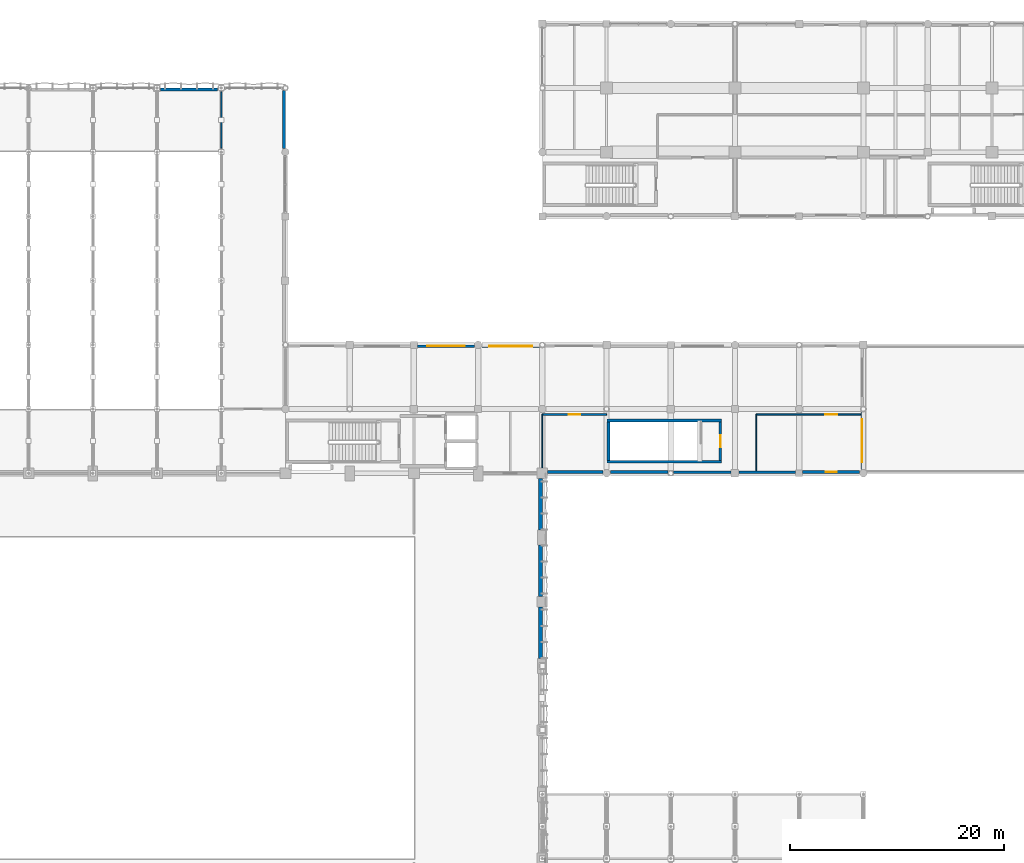
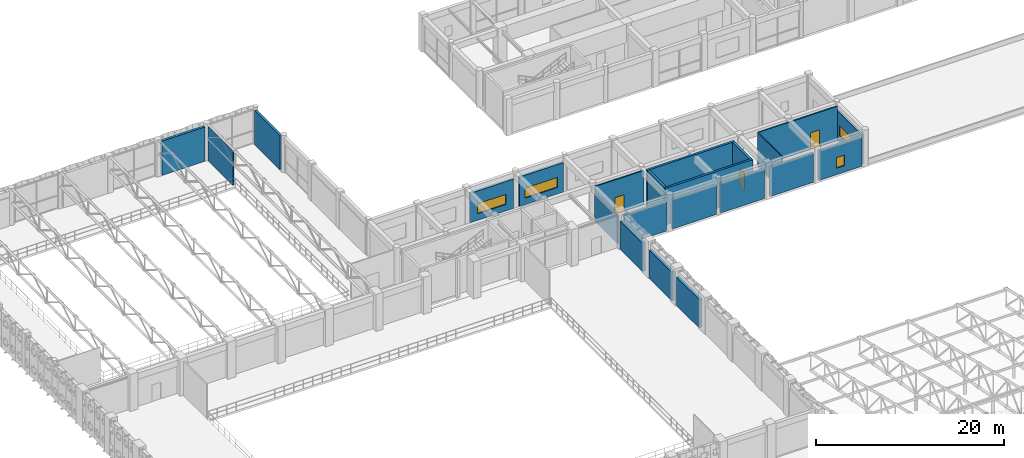
# One storey, part 99 of 123: 22 walls, 4 windows, 3 doors, 7 openings.
"""IFC4 building model written with IfcOpenShell, lengths in metres."""

from ifc_helpers import new_model, si_unit, direction, frame, frame_2d, origin, place, context, subcontext, project, spatial, rectangle, extrude, material, layer, layer_set, type_object, element, fill, save


model = new_model("IFC4")

# Units and contexts
model_context = context("Model", 3, precision=1e-05, world=origin(), true_north=direction((0.0, 1.0)))
body_context = subcontext(model_context, "Body", "Model", "MODEL_VIEW")
ifc_project = project(units=[si_unit("LENGTHUNIT", "METRE"), si_unit("AREAUNIT", "SQUARE_METRE"), si_unit("VOLUMEUNIT", "CUBIC_METRE"), si_unit("PLANEANGLEUNIT", "RADIAN"), si_unit("MASSUNIT", "GRAM", prefix="KILO"), si_unit("THERMODYNAMICTEMPERATUREUNIT", "KELVIN"), si_unit("POWERUNIT", "WATT")], contexts=[model_context])

# Site, building, storey
site_placement = place(None, origin())
site = spatial("IfcSite", under=ifc_project, at=site_placement, CompositionType="ELEMENT")
building_placement = place(site_placement, origin())
building = spatial("IfcBuilding", under=site, at=building_placement, Name="Phaisarnlok Congress Hotel", CompositionType="ELEMENT")
storey_placement = place(building_placement, frame((0.0, 0.0, 15.0)))
storey = spatial("IfcBuildingStorey", under=building, at=storey_placement, Name="L03", CompositionType="ELEMENT", Elevation=15.0)

# Walls
ifc_material_1 = material(Name="Concrete C40/50", Category="concrete")
ifc_layer_1 = layer(ifc_material_1, 0.2099609375, Name="Concrete C40/50")
ifc_layer_set_1 = layer_set([ifc_layer_1], Name="Concrete C40/50")
wall_type_1 = type_object("IfcWallType", Name="WL-EXT-210", PredefinedType="SOLIDWALL", material=ifc_layer_set_1)
wall_1_placement = place(storey_placement, frame((84.35498046875, 84.10498046875, 0.0), z_axis=(0.0, 0.0, 1.0), x_axis=(1.0, 0.0, 0.0)))
element("IfcWall", 1, at=wall_1_placement, inside=storey, type_object=wall_type_1, Name="Exterior wall EW-07 (L03)", PredefinedType="SOLIDWALL", context=body_context, shape_type="SweptSolid", body=[
    extrude(rectangle(XDim=5.31494140625, YDim=0.2099609375, at=frame_2d((2.657470703125, 0.0))), origin(), (0.0, 0.0, 1.0), 3.844970703125),
])
ifc_layer_2 = layer(ifc_material_1, 0.22998046875, Name="Concrete C40/50")
ifc_layer_set_2 = layer_set([ifc_layer_2], Name="Concrete C40/50")
wall_type_2 = type_object("IfcWallType", Name="WL-EXT-230", PredefinedType="SOLIDWALL", material=ifc_layer_set_2)
wall_2_placement = place(storey_placement, frame((78.259033203125, 84.114990234375, 0.0), z_axis=(0.0, 0.0, 1.0), x_axis=(1.0, 0.0, 0.0)))
element("IfcWall", 2, at=wall_2_placement, inside=storey, type_object=wall_type_2, Name="Exterior wall EW-06 (L03)", PredefinedType="SOLIDWALL", context=body_context, shape_type="SweptSolid", body=[
    extrude(rectangle(XDim=5.385986328125, YDim=0.22998046875, at=frame_2d((2.69287109375, 0.0))), origin(), (0.0, 0.0, 1.0), 3.844970703125),
])
ifc_layer_3 = layer(ifc_material_1, 0.25, Name="Concrete C40/50")
ifc_layer_set_3 = layer_set([ifc_layer_3], Name="Concrete C40/50")
wall_type_3 = type_object("IfcWallType", Name="WL-EXT-250", PredefinedType="SOLIDWALL", material=ifc_layer_set_3)
wall_3_placement = place(storey_placement, frame((72.35498046875, 84.125, 0.0), z_axis=(0.0, 0.0, 1.0), x_axis=(1.0, 0.0, 0.0)))
element("IfcWall", 3, at=wall_3_placement, inside=storey, type_object=wall_type_3, Name="Exterior wall EW-05 (L03)", PredefinedType="SOLIDWALL", context=body_context, shape_type="SweptSolid", body=[
    extrude(rectangle(XDim=5.385986328125, YDim=0.25, at=frame_2d((2.69287109375, 0.0))), origin(), (0.0, 0.0, 1.0), 3.844970703125),
])

# Wall, opening, window
wall_4_placement = place(storey_placement, frame((95.875, 84.35498046875, 0.0), z_axis=(0.0, 0.0, 1.0), x_axis=(0.0, 1.0, 0.0)))
wall_4 = element("IfcWall", 4, at=wall_4_placement, inside=storey, type_object=wall_type_3, Name="Exterior wall EW-05 (L03)", PredefinedType="SOLIDWALL", context=body_context, shape_type="SweptSolid", body=[
    extrude(rectangle(XDim=5.385986328125, YDim=0.25, at=frame_2d((2.69287109375, 0.0))), origin(), (0.0, 0.0, 1.0), 3.844970703125),
])
opening_1_placement = place(wall_4_placement, frame((0.693115234375, 0.0, 0.85009765625)))
opening_1 = element("IfcOpeningElement", 5, at=opening_1_placement, cuts=wall_4, Name="Opening W-19", PredefinedType="OPENING", context=body_context, shape_type="SweptSolid", body=[
    extrude(rectangle(XDim=4.0, YDim=1.300048828125, at=frame_2d((2.0, 0.64990234375))), frame((0.0, 0.135009765625, 0.0), z_axis=(0.0, -1.0, 0.0), x_axis=(1.0, 0.0, 0.0)), (0.0, 0.0, 1.0), 0.27001953125),
])
ifc_material_2 = material(Name="Thermally Broken Aluminium & Low-E Double Glazing", Category="aluminium")
window_type_1 = type_object("IfcWindowType", Name="WIN-CLER-4000", PartitioningType="SINGLE_PANEL", PredefinedType="WINDOW", material=ifc_material_2)
window_1_placement = place(opening_1_placement, origin())
window_1 = element("IfcWindow", 6, at=window_1_placement, inside=storey, type_object=window_type_1, Name="Podium window W-19 (L03)", OverallHeight=1.300048828125, OverallWidth=4.0, PartitioningType="SINGLE_PANEL", PredefinedType="WINDOW", context=body_context, shape_type="SweptSolid", body=[
    extrude(rectangle(XDim=4.0, YDim=1.300048828125, at=frame_2d((2.0, 0.64990234375))), frame((0.0, 0.030029296875, 0.0), z_axis=(0.0, -1.0, 0.0), x_axis=(1.0, 0.0, 0.0)), (0.0, 0.0, 1.0), 0.06005859375),
])
fill(opening_1, window_1)

wall_5_placement = place(storey_placement, frame((59.64501953125, 95.875, 0.0), z_axis=(0.0, 0.0, 1.0), x_axis=(-1.0, 0.0, 0.0)))
wall_5 = element("IfcWall", 7, at=wall_5_placement, inside=storey, type_object=wall_type_3, Name="Exterior wall EW-05 (L03)", PredefinedType="SOLIDWALL", context=body_context, shape_type="SweptSolid", body=[
    extrude(rectangle(XDim=5.31494140625, YDim=0.25, at=frame_2d((2.657470703125, 0.0))), origin(), (0.0, 0.0, 1.0), 3.81005859375),
])
opening_2_placement = place(wall_5_placement, frame((0.907958984375, 0.0, 0.85009765625)))
opening_2 = element("IfcOpeningElement", 8, at=opening_2_placement, cuts=wall_5, Name="Opening W-20", PredefinedType="OPENING", context=body_context, shape_type="SweptSolid", body=[
    extrude(rectangle(XDim=3.5, YDim=1.300048828125, at=frame_2d((1.75, 0.64990234375))), frame((0.0, 0.135009765625, 0.0), z_axis=(0.0, -1.0, 0.0), x_axis=(1.0, 0.0, 0.0)), (0.0, 0.0, 1.0), 0.27001953125),
])
window_type_2 = type_object("IfcWindowType", Name="WIN-CLER-3500", PartitioningType="SINGLE_PANEL", PredefinedType="WINDOW", material=ifc_material_2)
window_2_placement = place(opening_2_placement, origin())
window_2 = element("IfcWindow", 9, at=window_2_placement, inside=storey, type_object=window_type_2, Name="Podium window W-20 (L03)", OverallHeight=1.300048828125, OverallWidth=3.5, PartitioningType="SINGLE_PANEL", PredefinedType="WINDOW", context=body_context, shape_type="SweptSolid", body=[
    extrude(rectangle(XDim=3.5, YDim=1.300048828125, at=frame_2d((1.75, 0.64990234375))), frame((0.0, 0.030029296875, 0.0), z_axis=(0.0, -1.0, 0.0), x_axis=(1.0, 0.0, 0.0)), (0.0, 0.0, 1.0), 0.06005859375),
])
fill(opening_2, window_2)

# Wall
ifc_layer_4 = layer(ifc_material_1, 0.27001953125, Name="Concrete C40/50")
ifc_layer_set_4 = layer_set([ifc_layer_4], Name="Concrete C40/50")
wall_type_4 = type_object("IfcWallType", Name="WL-EXT-270", PredefinedType="SOLIDWALL", material=ifc_layer_set_4)
wall_6_placement = place(storey_placement, frame((66.5048828125, 84.135009765625, 0.0), z_axis=(0.0, 0.0, 1.0), x_axis=(1.0, 0.0, 0.0)))
element("IfcWall", 10, at=wall_6_placement, inside=storey, type_object=wall_type_4, Name="Exterior wall EW-04 (L03)", PredefinedType="SOLIDWALL", context=body_context, shape_type="SweptSolid", body=[
    extrude(rectangle(XDim=5.14013671875, YDim=0.27001953125, at=frame_2d((2.570068359375, 0.0))), origin(), (0.0, 0.0, 1.0), 3.844970703125),
])

# Wall, opening, window
wall_7_placement = place(storey_placement, frame((90.330078125, 84.135009765625, 0.0), z_axis=(0.0, 0.0, 1.0), x_axis=(1.0, 0.0, 0.0)))
wall_7 = element("IfcWall", 11, at=wall_7_placement, inside=storey, type_object=wall_type_4, Name="Exterior wall EW-04 (L03)", PredefinedType="SOLIDWALL", context=body_context, shape_type="SweptSolid", body=[
    extrude(rectangle(XDim=5.31494140625, YDim=0.27001953125, at=frame_2d((2.657470703125, 0.0))), origin(), (0.0, 0.0, 1.0), 3.844970703125),
])
opening_3_placement = place(wall_7_placement, frame((2.156982421875, 0.0, 0.85009765625)))
opening_3 = element("IfcOpeningElement", 12, at=opening_3_placement, cuts=wall_7, Name="Opening W-15", PredefinedType="OPENING", context=body_context, shape_type="SweptSolid", body=[
    extrude(rectangle(XDim=1.0, YDim=1.35009765625, at=frame_2d((0.5, 0.675048828125))), frame((0.0, 0.14501953125, 0.0), z_axis=(0.0, -1.0, 0.0), x_axis=(1.0, 0.0, 0.0)), (0.0, 0.0, 1.0), 0.2900390625),
])
window_type_3 = type_object("IfcWindowType", Name="WIN-POD-1000", PartitioningType="SINGLE_PANEL", PredefinedType="WINDOW", material=ifc_material_2)
window_3_placement = place(opening_3_placement, origin())
window_3 = element("IfcWindow", 13, at=window_3_placement, inside=storey, type_object=window_type_3, Name="Podium window W-15 (L03)", OverallHeight=1.35009765625, OverallWidth=1.0, PartitioningType="SINGLE_PANEL", PredefinedType="WINDOW", context=body_context, shape_type="SweptSolid", body=[
    extrude(rectangle(XDim=1.0, YDim=1.35009765625, at=frame_2d((0.5, 0.675048828125))), frame((0.0, 0.030029296875, 0.0), z_axis=(0.0, -1.0, 0.0), x_axis=(1.0, 0.0, 0.0)), (0.0, 0.0, 1.0), 0.06005859375),
])
fill(opening_3, window_3)

wall_8_placement = place(storey_placement, frame((65.740966796875, 95.864990234375, 0.0), z_axis=(0.0, 0.0, 1.0), x_axis=(-1.0, 0.0, 0.0)))
wall_8 = element("IfcWall", 14, at=wall_8_placement, inside=storey, type_object=wall_type_4, Name="Exterior wall EW-04 (L03)", PredefinedType="SOLIDWALL", context=body_context, shape_type="SweptSolid", body=[
    extrude(rectangle(XDim=5.385986328125, YDim=0.27001953125, at=frame_2d((2.69287109375, 0.0))), origin(), (0.0, 0.0, 1.0), 3.81005859375),
])
opening_4_placement = place(wall_8_placement, frame((0.693115234375, 0.0, 0.85009765625)))
opening_4 = element("IfcOpeningElement", 15, at=opening_4_placement, cuts=wall_8, Name="Opening W-19", PredefinedType="OPENING", context=body_context, shape_type="SweptSolid", body=[
    extrude(rectangle(XDim=4.0, YDim=1.300048828125, at=frame_2d((2.0, 0.64990234375))), frame((0.0, 0.14501953125, 0.0), z_axis=(0.0, -1.0, 0.0), x_axis=(1.0, 0.0, 0.0)), (0.0, 0.0, 1.0), 0.2900390625),
])
window_4_placement = place(opening_4_placement, origin())
window_4 = element("IfcWindow", 16, at=window_4_placement, inside=storey, type_object=window_type_1, Name="Podium window W-19 (L03)", OverallHeight=1.300048828125, OverallWidth=4.0, PartitioningType="SINGLE_PANEL", PredefinedType="WINDOW", context=body_context, shape_type="SweptSolid", body=[
    extrude(rectangle(XDim=4.0, YDim=1.300048828125, at=frame_2d((2.0, 0.64990234375))), frame((0.0, 0.030029296875, 0.0), z_axis=(0.0, -1.0, 0.0), x_axis=(1.0, 0.0, 0.0)), (0.0, 0.0, 1.0), 0.06005859375),
])
fill(opening_4, window_4)

# Walls
ifc_layer_5 = layer(ifc_material_1, 0.2900390625, Name="Concrete C40/50")
ifc_layer_set_5 = layer_set([ifc_layer_5], Name="Concrete C40/50")
wall_type_5 = type_object("IfcWallType", Name="WL-EXT-290", PredefinedType="SOLIDWALL", material=ifc_layer_set_5)
wall_9_placement = place(storey_placement, frame((41.85498046875, 114.35498046875, 0.0), z_axis=(0.0, 0.0, 1.0), x_axis=(0.0, 1.0, 0.0)))
element("IfcWall", 17, at=wall_9_placement, inside=storey, type_object=wall_type_5, Name="Exterior wall EW-03 (L03)", PredefinedType="SOLIDWALL", context=body_context, shape_type="SweptSolid", body=[
    extrude(rectangle(XDim=5.385986328125, YDim=0.2900390625, at=frame_2d((2.69287109375, 0.0))), origin(), (0.0, 0.0, 1.0), 4.449951171875),
])
wall_10_placement = place(storey_placement, frame((35.64501953125, 119.85498046875, 0.0), z_axis=(0.0, 0.0, 1.0), x_axis=(-1.0, 0.0, 0.0)))
element("IfcWall", 18, at=wall_10_placement, inside=storey, type_object=wall_type_5, Name="Exterior wall EW-03 (L03)", PredefinedType="SOLIDWALL", context=body_context, shape_type="SweptSolid", body=[
    extrude(rectangle(XDim=5.31494140625, YDim=0.2900390625, at=frame_2d((2.657470703125, 0.0))), origin(), (0.0, 0.0, 1.0), 4.449951171875),
])
ifc_layer_6 = layer(ifc_material_1, 0.360107421875, Name="Concrete C40/50")
ifc_layer_set_6 = layer_set([ifc_layer_6], Name="Concrete C40/50")
wall_type_6 = type_object("IfcWallType", Name="WL-EXT-360", PredefinedType="SOLIDWALL", material=ifc_layer_set_6)
for number, where, z_axis, x_axis, name in (
    (19, (65.820068359375, 66.705078125, 0.0), (0.0, 0.0, 1.0), (0.0, 1.0, 0.0), "Exterior wall EW-01 (L03)"),
    (20, (65.820068359375, 72.5048828125, 0.0), (0.0, 0.0, 1.0), (0.0, 1.0, 0.0), "Exterior wall EW-01 (L03)"),
    (21, (65.820068359375, 78.705078125, 0.0), (0.0, 0.0, 1.0), (0.0, 1.0, 0.0), "Exterior wall EW-01 (L03)"),
):
    element("IfcWall", number, at=place(storey_placement, frame(where, z_axis=z_axis, x_axis=x_axis)), inside=storey, type_object=wall_type_6, Name=name, PredefinedType="SOLIDWALL", context=body_context, shape_type="SweptSolid", body=[
        extrude(rectangle(XDim=4.7900390625, YDim=0.360107421875, at=frame_2d((2.39501953125, 0.0))), origin(), (0.0, 0.0, 1.0), 3.699951171875),
    ])
ifc_material_3 = material(Name="Service Riser Shaftwall Partition", Category="gypsum")
ifc_layer_7 = layer(ifc_material_3, 0.10498046875, Name="Service Riser Shaftwall Partition")
ifc_layer_set_7 = layer_set([ifc_layer_7], Name="Service Riser Shaftwall Partition")
wall_type_7 = type_object("IfcWallType", Name="WL-INT-105", PredefinedType="PARTITIONING", material=ifc_layer_set_7)
wall_11_placement = place(storey_placement, frame((66.0, 84.5048828125, 0.0), z_axis=(0.0, 0.0, 1.0), x_axis=(0.0, 1.0, 0.0)))
element("IfcWall", 22, at=wall_11_placement, inside=storey, type_object=wall_type_7, Name="Interior partition wall IW-08 (L03)", PredefinedType="PARTITIONING", context=body_context, shape_type="SweptSolid", body=[
    extrude(rectangle(XDim=4.9951171875, YDim=0.10498046875, at=frame_2d((2.49755859375, 0.0))), origin(), (0.0, 0.0, 1.0), 3.64990234375),
])
wall_12_placement = place(storey_placement, frame((86.0, 84.215087890625, 0.0), z_axis=(0.0, 0.0, 1.0), x_axis=(0.0, 1.0, 0.0)))
element("IfcWall", 23, at=wall_12_placement, inside=storey, type_object=wall_type_7, Name="Interior partition wall IW-08 (L03)", PredefinedType="PARTITIONING", context=body_context, shape_type="SweptSolid", body=[
    extrude(rectangle(XDim=5.284912109375, YDim=0.10498046875, at=frame_2d((2.642578125, 0.0))), origin(), (0.0, 0.0, 1.0), 4.449951171875),
])
ifc_material_4 = material(Name="Lightweight Metal-Stud Gypsum Partition", Category="gypsum")
ifc_layer_8 = layer(ifc_material_4, 0.1201171875, Name="Lightweight Metal-Stud Gypsum Partition")
ifc_layer_set_8 = layer_set([ifc_layer_8], Name="Lightweight Metal-Stud Gypsum Partition")
wall_type_8 = type_object("IfcWallType", Name="WL-INT-120", PredefinedType="PARTITIONING", material=ifc_layer_set_8)
wall_13_placement = place(storey_placement, frame((36.0, 114.3701171875, 0.0), z_axis=(0.0, 0.0, 1.0), x_axis=(0.0, 1.0, 0.0)))
element("IfcWall", 24, at=wall_13_placement, inside=storey, type_object=wall_type_8, Name="Interior partition wall IW-07 (L03)", PredefinedType="PARTITIONING", context=body_context, shape_type="SweptSolid", body=[
    extrude(rectangle(XDim=5.259765625, YDim=0.1201171875, at=frame_2d((2.6298828125, 0.0))), origin(), (0.0, 0.0, 1.0), 4.449951171875),
])

# Wall, opening, door
ifc_material_5 = material(Name="Acoustic Gypsum Board & Mineral Wool", Category="gypsum")
ifc_layer_9 = layer(ifc_material_5, 0.14990234375, Name="Acoustic Gypsum Board & Mineral Wool")
ifc_layer_set_9 = layer_set([ifc_layer_9], Name="Acoustic Gypsum Board & Mineral Wool")
wall_type_9 = type_object("IfcWallType", Name="WL-INT-150", PredefinedType="PARTITIONING", material=ifc_layer_set_9)
wall_14_placement = place(storey_placement, frame((86.0, 89.5, 0.0), z_axis=(0.0, 0.0, 1.0), x_axis=(1.0, 0.0, 0.0)))
wall_14 = element("IfcWall", 25, at=wall_14_placement, inside=storey, type_object=wall_type_9, Name="Interior partition wall IW-05 (L03)", PredefinedType="PARTITIONING", context=body_context, shape_type="SweptSolid", body=[
    extrude(rectangle(XDim=9.7451171875, YDim=0.14990234375, at=frame_2d((4.87255859375, 0.0))), origin(), (0.0, 0.0, 1.0), 4.449951171875),
])
opening_5_placement = place(wall_14_placement, frame((6.449951171875, 0.0, 0.0)))
opening_5 = element("IfcOpeningElement", 26, at=opening_5_placement, cuts=wall_14, Name="Opening D-0115", PredefinedType="OPENING", context=body_context, shape_type="SweptSolid", body=[
    extrude(rectangle(XDim=1.10009765625, YDim=2.14990234375, at=frame_2d((0.550048828125, 1.074951171875))), frame((0.0, 0.0849609375, 0.0), z_axis=(0.0, -1.0, 0.0), x_axis=(1.0, 0.0, 0.0)), (0.0, 0.0, 1.0), 0.169921875),
])
ifc_material_6 = material(Name="Fire-Rated Steel Frame & Timber Leaf", Category="steel")
door_type = type_object("IfcDoorType", Name="DR-FD60-1100", OperationType="NOTDEFINED", PredefinedType="DOOR", material=ifc_material_6)
door_1_placement = place(opening_5_placement, origin())
door_1 = element("IfcDoor", 27, at=door_1_placement, inside=storey, type_object=door_type, Name="Interior door D-0115 (L03)", OperationType="SINGLE_SWING_LEFT", OverallHeight=2.14990234375, OverallWidth=1.10009765625, PredefinedType="DOOR", context=body_context, shape_type="SweptSolid", body=[
    extrude(rectangle(XDim=1.10009765625, YDim=2.14990234375, at=frame_2d((0.550048828125, 1.074951171875))), frame((0.0, 0.02490234375, 0.0), z_axis=(0.0, -1.0, 0.0), x_axis=(1.0, 0.0, 0.0)), (0.0, 0.0, 1.0), 0.050048828125),
])
fill(opening_5, door_1)

ifc_material_7 = material(Name="Double-Stud Acoustic Gypsum Partition", Category="gypsum")
ifc_layer_10 = layer(ifc_material_7, 0.159912109375, Name="Double-Stud Acoustic Gypsum Partition")
ifc_layer_set_10 = layer_set([ifc_layer_10], Name="Double-Stud Acoustic Gypsum Partition")
wall_type_10 = type_object("IfcWallType", Name="WL-INT-160", PredefinedType="PARTITIONING", material=ifc_layer_set_10)
wall_15_placement = place(storey_placement, frame((66.0, 89.5, 0.0), z_axis=(0.0, 0.0, 1.0), x_axis=(1.0, 0.0, 0.0)))
wall_15 = element("IfcWall", 28, at=wall_15_placement, inside=storey, type_object=wall_type_10, Name="Interior partition wall IW-04 (L03)", PredefinedType="PARTITIONING", context=body_context, shape_type="SweptSolid", body=[
    extrude(rectangle(XDim=6.0, YDim=0.159912109375, at=frame_2d((3.0, 0.0))), origin(), (0.0, 0.0, 1.0), 4.449951171875),
])
opening_6_placement = place(wall_15_placement, frame((2.449951171875, 0.0, 0.0)))
opening_6 = element("IfcOpeningElement", 29, at=opening_6_placement, cuts=wall_15, Name="Opening D-0114", PredefinedType="OPENING", context=body_context, shape_type="SweptSolid", body=[
    extrude(rectangle(XDim=1.10009765625, YDim=2.14990234375, at=frame_2d((0.550048828125, 1.074951171875))), frame((0.0, 0.08984375, 0.0), z_axis=(0.0, -1.0, 0.0), x_axis=(1.0, 0.0, 0.0)), (0.0, 0.0, 1.0), 0.179931640625),
])
door_2_placement = place(opening_6_placement, origin())
door_2 = element("IfcDoor", 30, at=door_2_placement, inside=storey, type_object=door_type, Name="Interior door D-0114 (L03)", OperationType="SINGLE_SWING_RIGHT", OverallHeight=2.14990234375, OverallWidth=1.10009765625, PredefinedType="DOOR", context=body_context, shape_type="SweptSolid", body=[
    extrude(rectangle(XDim=1.10009765625, YDim=2.14990234375, at=frame_2d((0.550048828125, 1.074951171875))), frame((0.0, 0.02490234375, 0.0), z_axis=(0.0, -1.0, 0.0), x_axis=(1.0, 0.0, 0.0)), (0.0, 0.0, 1.0), 0.050048828125),
])
fill(opening_6, door_2)

# Walls
ifc_material_8 = material(Name="Concrete C50/60", Category="concrete")
ifc_layer_11 = layer(ifc_material_8, 0.260009765625, Name="Concrete C50/60")
ifc_layer_set_11 = layer_set([ifc_layer_11], Name="Concrete C50/60")
wall_type_11 = type_object("IfcWallType", Name="WL-SHR-260", PredefinedType="SHEAR", material=ifc_layer_set_11)
for number, where, z_axis, x_axis, name in (
    (31, (72.0400390625, 85.070068359375, 0.0), (0.0, 0.0, 1.0), (1.0, 0.0, 0.0), "Stair shaft shear wall SW-04 (STAIR-POD-C L03)"),
    (32, (72.0400390625, 88.929931640625, 0.0), (0.0, 0.0, 1.0), (1.0, 0.0, 0.0), "Stair shaft shear wall SW-04 (STAIR-POD-C L03)"),
):
    element("IfcWall", number, at=place(storey_placement, frame(where, z_axis=z_axis, x_axis=x_axis)), inside=storey, type_object=wall_type_11, Name=name, PredefinedType="SHEAR", context=body_context, shape_type="SweptSolid", body=[
        extrude(rectangle(XDim=10.719970703125, YDim=0.260009765625, at=frame_2d((5.35986328125, 0.0))), origin(), (0.0, 0.0, 1.0), 4.800048828125),
    ])
wall_16_placement = place(storey_placement, frame((72.169921875, 85.199951171875, 0.0), z_axis=(0.0, 0.0, 1.0), x_axis=(0.0, 1.0, 0.0)))
element("IfcWall", 33, at=wall_16_placement, inside=storey, type_object=wall_type_11, Name="Stair shaft shear wall SW-04 (STAIR-POD-C L03)", PredefinedType="SHEAR", context=body_context, shape_type="SweptSolid", body=[
    extrude(rectangle(XDim=3.60009765625, YDim=0.260009765625, at=frame_2d((1.800048828125, 0.0))), origin(), (0.0, 0.0, 1.0), 4.800048828125),
])

# Wall, opening, door
wall_17_placement = place(storey_placement, frame((82.6298828125, 85.199951171875, 0.0), z_axis=(0.0, 0.0, 1.0), x_axis=(0.0, 1.0, 0.0)))
wall_17 = element("IfcWall", 34, at=wall_17_placement, inside=storey, type_object=wall_type_11, Name="Stair shaft shear wall SW-04 (STAIR-POD-C L03)", PredefinedType="SHEAR", context=body_context, shape_type="SweptSolid", body=[
    extrude(rectangle(XDim=3.60009765625, YDim=0.260009765625, at=frame_2d((1.800048828125, 0.0))), origin(), (0.0, 0.0, 1.0), 4.800048828125),
])
opening_7_placement = place(wall_17_placement, frame((1.25, 0.0, 0.0)))
opening_7 = element("IfcOpeningElement", 35, at=opening_7_placement, cuts=wall_17, Name="Opening FD-163", PredefinedType="OPENING", context=body_context, shape_type="SweptSolid", body=[
    extrude(rectangle(XDim=1.10009765625, YDim=2.14990234375, at=frame_2d((0.550048828125, 1.074951171875))), frame((0.0, 0.14013671875, 0.0), z_axis=(0.0, -1.0, 0.0), x_axis=(1.0, 0.0, 0.0)), (0.0, 0.0, 1.0), 0.280029296875),
])
door_3_placement = place(opening_7_placement, origin())
door_3 = element("IfcDoor", 36, at=door_3_placement, inside=storey, type_object=door_type, Name="Stair enclosure fire door FD-163 (L03)", OperationType="SINGLE_SWING_RIGHT", OverallHeight=2.14990234375, OverallWidth=1.10009765625, PredefinedType="DOOR", context=body_context, shape_type="SweptSolid", body=[
    extrude(rectangle(XDim=1.10009765625, YDim=2.14990234375, at=frame_2d((0.550048828125, 1.074951171875))), frame((0.0, 0.02490234375, 0.0), z_axis=(0.0, -1.0, 0.0), x_axis=(1.0, 0.0, 0.0)), (0.0, 0.0, 1.0), 0.050048828125),
])
fill(opening_7, door_3)

save(model, "model.ifc")
